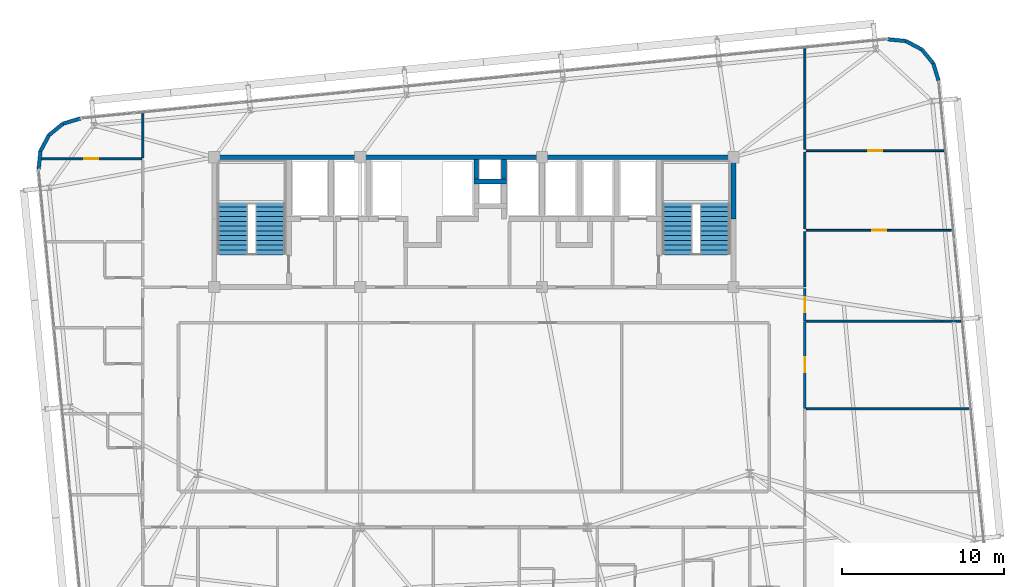
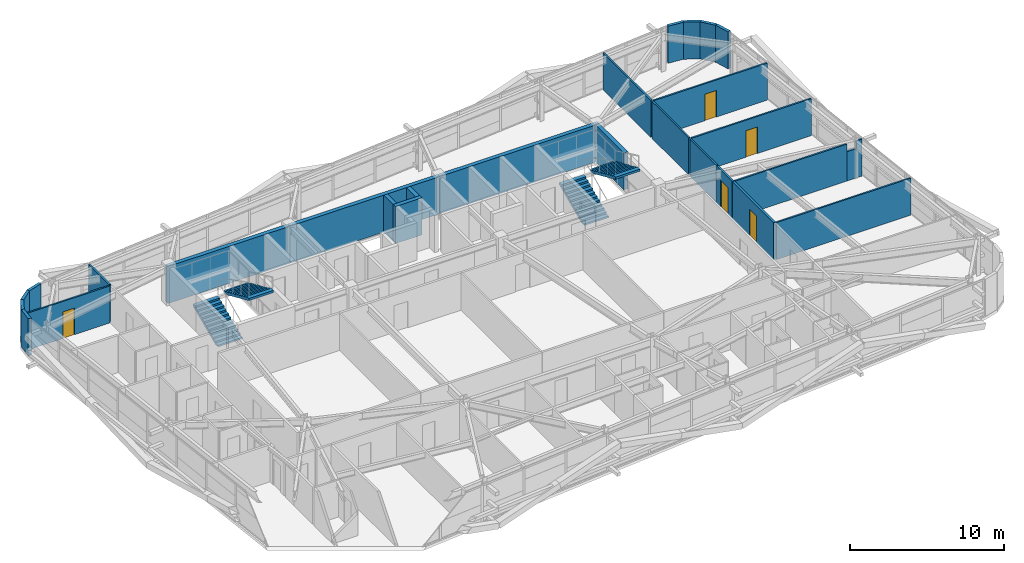
# One storey, part 50 of 53: 28 walls, 5 doors, 4 stair flights, 5 openings, 2 elements without a shape of their own.
"""IFC4 building model written with IfcOpenShell, lengths in metres."""

from ifc_helpers import new_model, si_unit, direction, frame, frame_2d, origin, place, context, subcontext, project, spatial, polyline, rectangle, outline, extrude, source, transform, mapped, material, layer, layer_set, type_object, element, fill, aggregate, save


model = new_model("IFC4")

# Units and contexts
model_context = context("Model", 3, precision=1e-05, world=origin(), true_north=direction((0.0, 1.0)))
body_context = subcontext(model_context, "Body", "Model", "MODEL_VIEW")
ifc_project = project(units=[si_unit("LENGTHUNIT", "METRE"), si_unit("AREAUNIT", "SQUARE_METRE"), si_unit("VOLUMEUNIT", "CUBIC_METRE"), si_unit("PLANEANGLEUNIT", "RADIAN"), si_unit("MASSUNIT", "GRAM", prefix="KILO")], contexts=[model_context])

# Site, building, storey
site_placement = place(None, origin())
site = spatial("IfcSite", under=ifc_project, at=site_placement, CompositionType="ELEMENT")
building_placement = place(site_placement, origin())
building = spatial("IfcBuilding", under=site, at=building_placement, Name="Taldren Reach Tower", CompositionType="ELEMENT")
storey_placement = place(building_placement, frame((0.0, 0.0, 71.39990234375)))
storey = spatial("IfcBuildingStorey", under=building, at=storey_placement, Name="L21", CompositionType="ELEMENT", Elevation=71.39990234375)

# Walls
ifc_material_1 = material(Name="Pale Champagne Anodised Aluminium Cladding", Category="aluminium")
ifc_layer_1 = layer(ifc_material_1, 0.04, Name="Pale Champagne Anodised Aluminium Cladding", Category="aluminium")
ifc_material_2 = material(Name="Mineral Wool Acoustic Insulation", Category="insulation")
ifc_layer_2 = layer(ifc_material_2, 0.06, Name="Mineral Wool Acoustic Insulation", Category="insulation")
ifc_material_3 = material(Name="Steel Gr 350 (C350L0)", Category="steel")
ifc_layer_3 = layer(ifc_material_3, 0.12, Name="Steel Gr 350 (C350L0)", Category="steel")
ifc_layer_set_1 = layer_set([ifc_layer_1, ifc_layer_2, ifc_layer_3], Name="Pale Champagne Aluminium Cladding and Steel Gr 350 Stud Framing")
wall_type_1 = type_object("IfcWallType", Name="EW-CRN-220", PredefinedType="SOLIDWALL", material=ifc_layer_set_1)
shared_shape_1 = source(origin(), body_context, "Body", "SweptSolid", [
    extrude(rectangle(XDim=1.115966796875, YDim=0.219970703125, at=frame_2d((0.55810546875, 0.0))), origin(), (0.0, 0.0, 1.0), 2.93017578125),
])
for number, where, z_axis, x_axis, name in (
    (1, (63.6376953125, 36.6982421875, 0.0), (0.0, 0.0, 1.0), (-0.289855603468, 0.957070388811, 0.0), "Rounded-corner pale-metal facade wall L21-NE1"),
    (2, (62.606689453125, 38.629150390625, 0.0), (0.0, 0.0, 1.0), (-0.881655534635, 0.471893545461, 0.0), "Rounded-corner pale-metal facade wall L21-NE3"),
    (3, (61.622802734375, 39.15576171875, 0.0), (0.0, 0.0, 1.0), (-0.995142755671, 0.09844234778, 0.0), "Rounded-corner pale-metal facade wall L21-NE4"),
    (4, (10.7509765625, 34.386474609375, 0.0), (0.0, 0.0, 1.0), (-0.957070388811, -0.289855603468, 0.0), "Rounded-corner pale-metal facade wall L21-NW1"),
):
    element("IfcWall", number, at=place(storey_placement, frame(where, z_axis=z_axis, x_axis=x_axis)), inside=storey, type_object=wall_type_1, Name=name, PredefinedType="SOLIDWALL", context=body_context, shape_type="MappedRepresentation", body=[
        mapped(shared_shape_1, transform((0.0, 0.0, 0.0), scale=1.0)),
    ])
shared_shape_2 = source(origin(), body_context, "Body", "SweptSolid", [
    extrude(rectangle(XDim=1.11572265625, YDim=0.219970703125, at=frame_2d((0.557861328125, 0.0))), origin(), (0.0, 0.0, 1.0), 2.93017578125),
])
for number, where, z_axis, x_axis, name in (
    (5, (63.314208984375, 37.766357421875, 0.0), (0.0, 0.0, 1.0), (-0.634095287989, 0.773254916409, 0.0), "Rounded-corner pale-metal facade wall L21-NE2"),
    (6, (9.682861328125, 34.06298828125, 0.0), (0.0, 0.0, 1.0), (-0.773254916409, -0.634095287989, 0.0), "Rounded-corner pale-metal facade wall L21-NW2"),
    (7, (8.29345703125, 32.371337890625, 0.0), (0.0, 0.0, 1.0), (-0.098463783145, -0.99514063499, 0.0), "Rounded-corner pale-metal facade wall L21-NW4"),
):
    element("IfcWall", number, at=place(storey_placement, frame(where, z_axis=z_axis, x_axis=x_axis)), inside=storey, type_object=wall_type_1, Name=name, PredefinedType="SOLIDWALL", context=body_context, shape_type="MappedRepresentation", body=[
        mapped(shared_shape_2, transform((0.0, 0.0, 0.0), scale=1.0)),
    ])
shared_shape_3 = source(origin(), body_context, "Body", "SweptSolid", [
    extrude(rectangle(XDim=1.1162109375, YDim=0.219970703125, at=frame_2d((0.55810546875, 0.0))), origin(), (0.0, 0.0, 1.0), 2.93017578125),
])
wall_1_placement = place(storey_placement, frame((8.820068359375, 33.35546875, 0.0), z_axis=(0.0, 0.0, 1.0), x_axis=(-0.471802540493, -0.881704237704, 0.0)))
element("IfcWall", 8, at=wall_1_placement, inside=storey, type_object=wall_type_1, Name="Rounded-corner pale-metal facade wall L21-NW3", PredefinedType="SOLIDWALL", context=body_context, shape_type="MappedRepresentation", body=[
    mapped(shared_shape_3, transform((0.0, 0.0, 0.0), scale=1.0)),
])

# Wall, opening, door
ifc_material_4 = material(Name="Fire-Rated Acoustic Plasterboard Stud Wall", Category="gypsum")
ifc_layer_4 = layer(ifc_material_4, 0.159912109375)
ifc_layer_set_2 = layer_set([ifc_layer_4], Name="Fire-Rated Acoustic Plasterboard Stud Wall")
wall_type_2 = type_object("IfcWallType", Name="IW-FIRE-160", PredefinedType="PARTITIONING", material=ifc_layer_set_2)
shared_shape_4 = source(origin(), body_context, "Body", "SweptSolid", [
    extrude(rectangle(XDim=1.999755859375, YDim=0.159912109375, at=frame_2d((1.0, 0.0))), origin(), (0.0, 0.0, 1.0), 2.93017578125),
])
wall_2_placement = place(storey_placement, frame((55.39990234375, 23.919921875, 0.0), z_axis=(0.0, 0.0, 1.0), x_axis=(0.0, -1.0, 0.0)))
wall_2 = element("IfcWall", 9, at=wall_2_placement, inside=storey, type_object=wall_type_2, Name="Interior Partition Wall W-INT-L21-062", PredefinedType="PARTITIONING", context=body_context, shape_type="MappedRepresentation", body=[
    mapped(shared_shape_4, transform((0.0, 0.0, 0.0), scale=1.0)),
])
shared_shape_5 = source(origin(), body_context, "Body", "SweptSolid", [
    extrude(rectangle(XDim=0.919921875, YDim=2.10009765625, at=frame_2d((0.4599609375, 1.050048828125))), frame((0.0, 0.08984375, 0.0), z_axis=(0.0, -1.0, 0.0), x_axis=(1.0, 0.0, 0.0)), (0.0, 0.0, 1.0), 0.179931640625),
])
opening_1_placement = place(wall_2_placement, frame((0.539794921875, 0.0, 0.0)))
opening_1 = element("IfcOpeningElement", 10, at=opening_1_placement, cuts=wall_2, Name="Opening DI-092", PredefinedType="OPENING", context=body_context, shape_type="MappedRepresentation", body=[
    mapped(shared_shape_5, transform((0.0, 0.0, 0.0), scale=1.0)),
])
ifc_material_5 = material(Name="Solid-Core Timber Suite Door", Category="wood")
door_type_1 = type_object("IfcDoorType", Name="ID-INT-092", OperationType="NOTDEFINED", PredefinedType="DOOR", material=ifc_material_5)
shared_shape_6 = source(origin(), body_context, "Body", "SweptSolid", [
    extrude(rectangle(XDim=0.919921875, YDim=2.10009765625, at=frame_2d((0.4599609375, 1.050048828125))), frame((0.0, 0.02490234375, 0.0), z_axis=(0.0, -1.0, 0.0), x_axis=(1.0, 0.0, 0.0)), (0.0, 0.0, 1.0), 0.050048828125),
])
door_1_placement = place(opening_1_placement, origin())
door_1 = element("IfcDoor", 11, at=door_1_placement, inside=storey, type_object=door_type_1, Name="Interior Door DR-L21-021", OperationType="SINGLE_SWING_RIGHT", OverallHeight=2.10009765625, OverallWidth=0.919921875, PredefinedType="DOOR", context=body_context, shape_type="MappedRepresentation", body=[
    mapped(shared_shape_6, transform((0.0, 0.0, 0.0), scale=1.0)),
])
fill(opening_1, door_1)

# Walls
ifc_material_6 = material(Name="Concrete S65 (65 MPa)", Category="concrete")
ifc_layer_5 = layer(ifc_material_6, 0.300048828125)
ifc_layer_set_3 = layer_set([ifc_layer_5], Name="Concrete S65 (65 MPa)")
wall_type_3 = type_object("IfcWallType", Name="IW-CORE-300", PredefinedType="SHEAR", material=ifc_layer_set_3)
shared_shape_7 = source(origin(), body_context, "Body", "SweptSolid", [
    extrude(rectangle(XDim=9.14990234375, YDim=0.300048828125, at=frame_2d((4.574951171875, 0.0))), origin(), (0.0, 0.0, 1.0), 2.93017578125),
])
wall_3_placement = place(storey_placement, frame((18.85009765625, 32.0, 0.0), z_axis=(0.0, 0.0, 1.0), x_axis=(1.0, 0.0, 0.0)))
element("IfcWall", 12, at=wall_3_placement, inside=storey, type_object=wall_type_3, Name="Rear Core Shear Wall W-CORE-L21-NORTH1", PredefinedType="SHEAR", context=body_context, shape_type="MappedRepresentation", body=[
    mapped(shared_shape_7, transform((0.0, 0.0, 0.0), scale=1.0)),
])
shared_shape_8 = source(origin(), body_context, "Body", "SweptSolid", [
    extrude(rectangle(XDim=11.199951171875, YDim=0.300048828125, at=frame_2d((5.60009765625, 0.0))), origin(), (0.0, 0.0, 1.0), 2.93017578125),
])
wall_4_placement = place(storey_placement, frame((28.0, 32.0, 0.0), z_axis=(0.0, 0.0, 1.0), x_axis=(1.0, 0.0, 0.0)))
element("IfcWall", 13, at=wall_4_placement, inside=storey, type_object=wall_type_3, Name="Rear Core Shear Wall W-CORE-L21-NORTH2", PredefinedType="SHEAR", context=body_context, shape_type="MappedRepresentation", body=[
    mapped(shared_shape_8, transform((0.0, 0.0, 0.0), scale=1.0)),
])
shared_shape_9 = source(origin(), body_context, "Body", "SweptSolid", [
    extrude(rectangle(XDim=11.949951171875, YDim=0.300048828125, at=frame_2d((5.97509765625, 0.0))), origin(), (0.0, 0.0, 1.0), 2.93017578125),
])
wall_5_placement = place(storey_placement, frame((39.199951171875, 32.0, 0.0), z_axis=(0.0, 0.0, 1.0), x_axis=(1.0, 0.0, 0.0)))
element("IfcWall", 14, at=wall_5_placement, inside=storey, type_object=wall_type_3, Name="Rear Core Shear Wall W-CORE-L21-NORTH3", PredefinedType="SHEAR", context=body_context, shape_type="MappedRepresentation", body=[
    mapped(shared_shape_9, transform((0.0, 0.0, 0.0), scale=1.0)),
])
shared_shape_10 = source(origin(), body_context, "Body", "SweptSolid", [
    extrude(rectangle(XDim=3.650146484375, YDim=0.300048828125, at=frame_2d((1.8251953125, 0.0))), origin(), (0.0, 0.0, 1.0), 2.93017578125),
])
wall_6_placement = place(storey_placement, frame((51.0, 28.199951171875, 0.0), z_axis=(0.0, 0.0, 1.0), x_axis=(0.0, 1.0, 0.0)))
element("IfcWall", 15, at=wall_6_placement, inside=storey, type_object=wall_type_3, Name="Rear Core Shear Wall W-CORE-L21-EAST2", PredefinedType="SHEAR", context=body_context, shape_type="MappedRepresentation", body=[
    mapped(shared_shape_10, transform((0.0, 0.0, 0.0), scale=1.0)),
])
shared_shape_11 = source(origin(), body_context, "Body", "SweptSolid", [
    extrude(rectangle(XDim=2.0, YDim=0.300048828125, at=frame_2d((1.0, 0.0))), origin(), (0.0, 0.0, 1.0), 2.93017578125),
])
wall_7_placement = place(storey_placement, frame((35.0, 30.5, 0.0), z_axis=(0.0, 0.0, 1.0), x_axis=(1.0, 0.0, 0.0)))
element("IfcWall", 16, at=wall_7_placement, inside=storey, type_object=wall_type_3, Name="Rear Core Shear Wall W-INT-L21-015", PredefinedType="SHEAR", context=body_context, shape_type="MappedRepresentation", body=[
    mapped(shared_shape_11, transform((0.0, 0.0, 0.0), scale=1.0)),
])
shared_shape_12 = source(origin(), body_context, "Body", "SweptSolid", [
    extrude(rectangle(XDim=1.2001953125, YDim=0.300048828125, at=frame_2d((0.60009765625, 0.0))), origin(), (0.0, 0.0, 1.0), 2.93017578125),
])
for number, where, z_axis, x_axis, name in (
    (17, (35.14990234375, 31.85009765625, 0.0), (0.0, 0.0, 1.0), (0.0, -1.0, 0.0), "Rear Core Shear Wall W-INT-L21-016"),
    (18, (36.85009765625, 30.64990234375, 0.0), (0.0, 0.0, 1.0), (0.0, 1.0, 0.0), "Rear Core Shear Wall W-INT-L21-017"),
):
    element("IfcWall", number, at=place(storey_placement, frame(where, z_axis=z_axis, x_axis=x_axis)), inside=storey, type_object=wall_type_3, Name=name, PredefinedType="SHEAR", context=body_context, shape_type="MappedRepresentation", body=[
        mapped(shared_shape_12, transform((0.0, 0.0, 0.0), scale=1.0)),
    ])

# Wall, opening, door
shared_shape_13 = source(origin(), body_context, "Body", "SweptSolid", [
    extrude(rectangle(XDim=5.359619140625, YDim=0.159912109375, at=frame_2d((2.6796875, 0.0))), origin(), (0.0, 0.0, 1.0), 2.93017578125),
])
wall_8_placement = place(storey_placement, frame((55.39990234375, 21.8798828125, 0.0), z_axis=(0.0, 0.0, 1.0), x_axis=(0.0, -1.0, 0.0)))
wall_8 = element("IfcWall", 19, at=wall_8_placement, inside=storey, type_object=wall_type_2, Name="Interior Partition Wall W-INT-L21-061", PredefinedType="PARTITIONING", context=body_context, shape_type="MappedRepresentation", body=[
    mapped(shared_shape_13, transform((0.0, 0.0, 0.0), scale=1.0)),
])
opening_2_placement = place(wall_8_placement, frame((2.2197265625, 0.0, 0.0)))
opening_2 = element("IfcOpeningElement", 20, at=opening_2_placement, cuts=wall_8, Name="Opening DI-092", PredefinedType="OPENING", context=body_context, shape_type="MappedRepresentation", body=[
    mapped(shared_shape_5, transform((0.0, 0.0, 0.0), scale=1.0)),
])
door_2_placement = place(opening_2_placement, origin())
door_2 = element("IfcDoor", 21, at=door_2_placement, inside=storey, type_object=door_type_1, Name="Interior Door DR-L21-020", OperationType="SINGLE_SWING_LEFT", OverallHeight=2.10009765625, OverallWidth=0.919921875, PredefinedType="DOOR", context=body_context, shape_type="MappedRepresentation", body=[
    mapped(shared_shape_6, transform((0.0, 0.0, 0.0), scale=1.0)),
])
fill(opening_2, door_2)

ifc_material_7 = material(Name="Insulated Residential Stud Partition", Category="gypsum")
ifc_layer_6 = layer(ifc_material_7, 0.1201171875)
ifc_layer_set_4 = layer_set([ifc_layer_6], Name="Insulated Residential Stud Partition")
wall_type_4 = type_object("IfcWallType", Name="IW-PART-120", PredefinedType="PARTITIONING", material=ifc_layer_set_4)
shared_shape_14 = source(origin(), body_context, "Body", "SweptSolid", [
    extrude(rectangle(XDim=6.18798828125, YDim=0.1201171875, at=frame_2d((3.093994140625, 0.0))), origin(), (0.0, 0.0, 1.0), 2.93017578125),
])
wall_9_placement = place(storey_placement, frame((8.33203125, 31.89990234375, 0.0), z_axis=(0.0, 0.0, 1.0), x_axis=(1.0, 0.0, 0.0)))
wall_9 = element("IfcWall", 22, at=wall_9_placement, inside=storey, type_object=wall_type_4, Name="Interior Partition Wall W-INT-L21-129", PredefinedType="PARTITIONING", context=body_context, shape_type="MappedRepresentation", body=[
    mapped(shared_shape_14, transform((0.0, 0.0, 0.0), scale=1.0)),
])
shared_shape_15 = source(origin(), body_context, "Body", "SweptSolid", [
    extrude(rectangle(XDim=0.860107421875, YDim=2.10009765625, at=frame_2d((0.43017578125, 1.050048828125))), frame((0.0, 0.070068359375, 0.0), z_axis=(0.0, -1.0, 0.0), x_axis=(1.0, 0.0, 0.0)), (0.0, 0.0, 1.0), 0.14013671875),
])
opening_3_placement = place(wall_9_placement, frame((2.663818359375, 0.0, 0.0)))
opening_3 = element("IfcOpeningElement", 23, at=opening_3_placement, cuts=wall_9, Name="Opening DI-086", PredefinedType="OPENING", context=body_context, shape_type="MappedRepresentation", body=[
    mapped(shared_shape_15, transform((0.0, 0.0, 0.0), scale=1.0)),
])
ifc_material_8 = material(Name="Timber Bathroom Door", Category="wood")
door_type_2 = type_object("IfcDoorType", Name="ID-INT-086", OperationType="NOTDEFINED", PredefinedType="DOOR", material=ifc_material_8)
shared_shape_16 = source(origin(), body_context, "Body", "SweptSolid", [
    extrude(rectangle(XDim=0.860107421875, YDim=2.10009765625, at=frame_2d((0.43017578125, 1.050048828125))), frame((0.0, 0.02490234375, 0.0), z_axis=(0.0, -1.0, 0.0), x_axis=(1.0, 0.0, 0.0)), (0.0, 0.0, 1.0), 0.050048828125),
])
door_3_placement = place(opening_3_placement, origin())
door_3 = element("IfcDoor", 24, at=door_3_placement, inside=storey, type_object=door_type_2, Name="Interior Door DR-L21-039", OperationType="SINGLE_SWING_RIGHT", OverallHeight=2.10009765625, OverallWidth=0.860107421875, PredefinedType="DOOR", context=body_context, shape_type="MappedRepresentation", body=[
    mapped(shared_shape_16, transform((0.0, 0.0, 0.0), scale=1.0)),
])
fill(opening_3, door_3)

# Walls
shared_shape_17 = source(origin(), body_context, "Body", "SweptSolid", [
    extrude(rectangle(XDim=2.685546875, YDim=0.1201171875, at=frame_2d((1.3427734375, 0.0))), origin(), (0.0, 0.0, 1.0), 2.93017578125),
])
wall_10_placement = place(storey_placement, frame((14.60009765625, 34.66552734375, 0.0), z_axis=(0.0, 0.0, 1.0), x_axis=(0.0, -1.0, 0.0)))
element("IfcWall", 25, at=wall_10_placement, inside=storey, type_object=wall_type_4, Name="Interior Partition Wall W-INT-L21-131", PredefinedType="PARTITIONING", context=body_context, shape_type="MappedRepresentation", body=[
    mapped(shared_shape_17, transform((0.0, 0.0, 0.0), scale=1.0)),
])
shared_shape_18 = source(origin(), body_context, "Body", "SweptSolid", [
    extrude(rectangle(XDim=10.0556640625, YDim=0.1201171875, at=frame_2d((5.02783203125, 0.0))), origin(), (0.0, 0.0, 1.0), 2.93017578125),
])
wall_11_placement = place(storey_placement, frame((55.47998046875, 16.5, 0.0), z_axis=(0.0, 0.0, 1.0), x_axis=(1.0, 0.0, 0.0)))
element("IfcWall", 26, at=wall_11_placement, inside=storey, type_object=wall_type_4, Name="Interior Partition Wall W-INT-L21-133", PredefinedType="PARTITIONING", context=body_context, shape_type="MappedRepresentation", body=[
    mapped(shared_shape_18, transform((0.0, 0.0, 0.0), scale=1.0)),
])
shared_shape_19 = source(origin(), body_context, "Body", "SweptSolid", [
    extrude(rectangle(XDim=8.37890625, YDim=0.1201171875, at=frame_2d((4.189453125, 0.0))), origin(), (0.0, 0.0, 1.0), 2.93017578125),
])
wall_12_placement = place(storey_placement, frame((55.47998046875, 21.89990234375, 0.0), z_axis=(0.0, 0.0, 1.0), x_axis=(1.0, 0.0, 0.0)))
element("IfcWall", 27, at=wall_12_placement, inside=storey, type_object=wall_type_4, Name="Interior Partition Wall W-INT-L21-134", PredefinedType="PARTITIONING", context=body_context, shape_type="MappedRepresentation", body=[
    mapped(shared_shape_19, transform((0.0, 0.0, 0.0), scale=1.0)),
])
shared_shape_20 = source(origin(), body_context, "Body", "SweptSolid", [
    extrude(rectangle(XDim=0.709228515625, YDim=0.1201171875, at=frame_2d((0.3544921875, 0.0))), origin(), (0.0, 0.0, 1.0), 2.328125),
])
wall_13_placement = place(storey_placement, frame((63.85888671875, 21.89990234375, 0.0), z_axis=(0.0, 0.0, 1.0), x_axis=(1.0, 0.0, 0.0)))
element("IfcWall", 28, at=wall_13_placement, inside=storey, type_object=wall_type_4, Name="Interior Partition Wall W-INT-L21-134 part 2", PredefinedType="PARTITIONING", context=body_context, shape_type="MappedRepresentation", body=[
    mapped(shared_shape_20, transform((0.0, 0.0, 0.0), scale=1.0)),
])
shared_shape_21 = source(origin(), body_context, "Body", "SweptSolid", [
    extrude(rectangle(XDim=0.43798828125, YDim=0.1201171875, at=frame_2d((0.218994140625, 0.0))), origin(), (0.0, 0.0, 1.0), 2.93017578125),
])
wall_14_placement = place(storey_placement, frame((64.568115234375, 21.89990234375, 0.0), z_axis=(0.0, 0.0, 1.0), x_axis=(1.0, 0.0, 0.0)))
element("IfcWall", 29, at=wall_14_placement, inside=storey, type_object=wall_type_4, Name="Interior Partition Wall W-INT-L21-134 part 3", PredefinedType="PARTITIONING", context=body_context, shape_type="MappedRepresentation", body=[
    mapped(shared_shape_21, transform((0.0, 0.0, 0.0), scale=1.0)),
])

# Wall, opening, door
shared_shape_22 = source(origin(), body_context, "Body", "SweptSolid", [
    extrude(rectangle(XDim=8.97705078125, YDim=0.1201171875, at=frame_2d((4.488525390625, 0.0))), origin(), (0.0, 0.0, 1.0), 2.93017578125),
])
wall_15_placement = place(storey_placement, frame((55.47998046875, 27.5, 0.0), z_axis=(0.0, 0.0, 1.0), x_axis=(1.0, 0.0, 0.0)))
wall_15 = element("IfcWall", 30, at=wall_15_placement, inside=storey, type_object=wall_type_4, Name="Interior Partition Wall W-INT-L21-135", PredefinedType="PARTITIONING", context=body_context, shape_type="MappedRepresentation", body=[
    mapped(shared_shape_22, transform((0.0, 0.0, 0.0), scale=1.0)),
])
opening_4_placement = place(wall_15_placement, frame((4.05859375, 0.0, 0.0)))
opening_4 = element("IfcOpeningElement", 31, at=opening_4_placement, cuts=wall_15, Name="Opening DI-086", PredefinedType="OPENING", context=body_context, shape_type="MappedRepresentation", body=[
    mapped(shared_shape_15, transform((0.0, 0.0, 0.0), scale=1.0)),
])
door_4_placement = place(opening_4_placement, origin())
door_4 = element("IfcDoor", 32, at=door_4_placement, inside=storey, type_object=door_type_2, Name="Interior Door DR-L21-040", OperationType="SINGLE_SWING_LEFT", OverallHeight=2.10009765625, OverallWidth=0.860107421875, PredefinedType="DOOR", context=body_context, shape_type="MappedRepresentation", body=[
    mapped(shared_shape_16, transform((0.0, 0.0, 0.0), scale=1.0)),
])
fill(opening_4, door_4)

# Wall
shared_shape_23 = source(origin(), body_context, "Body", "SweptSolid", [
    extrude(rectangle(XDim=3.399658203125, YDim=0.1201171875, at=frame_2d((1.69970703125, 0.0))), origin(), (0.0, 0.0, 1.0), 2.93017578125),
])
wall_16_placement = place(storey_placement, frame((55.39990234375, 24.020263671875, 0.0), z_axis=(0.0, 0.0, 1.0), x_axis=(0.0, 1.0, 0.0)))
element("IfcWall", 33, at=wall_16_placement, inside=storey, type_object=wall_type_4, Name="Interior Partition Wall W-INT-L21-136", PredefinedType="PARTITIONING", context=body_context, shape_type="MappedRepresentation", body=[
    mapped(shared_shape_23, transform((0.0, 0.0, 0.0), scale=1.0)),
])

# Wall, opening, door
shared_shape_24 = source(origin(), body_context, "Body", "SweptSolid", [
    extrude(rectangle(XDim=8.49658203125, YDim=0.1201171875, at=frame_2d((4.248291015625, 0.0))), origin(), (0.0, 0.0, 1.0), 2.93017578125),
])
wall_17_placement = place(storey_placement, frame((55.47998046875, 32.39990234375, 0.0), z_axis=(0.0, 0.0, 1.0), x_axis=(1.0, 0.0, 0.0)))
wall_17 = element("IfcWall", 34, at=wall_17_placement, inside=storey, type_object=wall_type_4, Name="Interior Partition Wall W-INT-L21-137", PredefinedType="PARTITIONING", context=body_context, shape_type="MappedRepresentation", body=[
    mapped(shared_shape_24, transform((0.0, 0.0, 0.0), scale=1.0)),
])
opening_5_placement = place(wall_17_placement, frame((3.818359375, 0.0, 0.0)))
opening_5 = element("IfcOpeningElement", 35, at=opening_5_placement, cuts=wall_17, Name="Opening DI-086", PredefinedType="OPENING", context=body_context, shape_type="MappedRepresentation", body=[
    mapped(shared_shape_15, transform((0.0, 0.0, 0.0), scale=1.0)),
])
door_5_placement = place(opening_5_placement, frame((0.860107421875, 0.0, 0.0), z_axis=(0.0, 0.0, 1.0), x_axis=(-1.0, 0.0, 0.0)))
door_5 = element("IfcDoor", 36, at=door_5_placement, inside=storey, type_object=door_type_2, Name="Interior Door DR-L21-041", OperationType="SINGLE_SWING_LEFT", OverallHeight=2.10009765625, OverallWidth=0.860107421875, PredefinedType="DOOR", context=body_context, shape_type="MappedRepresentation", body=[
    mapped(shared_shape_16, transform((0.0, 0.0, 0.0), scale=1.0)),
])
fill(opening_5, door_5)

# Walls
shared_shape_25 = source(origin(), body_context, "Body", "SweptSolid", [
    extrude(rectangle(XDim=4.739990234375, YDim=0.1201171875, at=frame_2d((2.3701171875, 0.0))), origin(), (0.0, 0.0, 1.0), 2.93017578125),
])
wall_18_placement = place(storey_placement, frame((55.39990234375, 27.580078125, 0.0), z_axis=(0.0, 0.0, 1.0), x_axis=(0.0, 1.0, 0.0)))
element("IfcWall", 37, at=wall_18_placement, inside=storey, type_object=wall_type_4, Name="Interior Partition Wall W-INT-L21-138", PredefinedType="PARTITIONING", context=body_context, shape_type="MappedRepresentation", body=[
    mapped(shared_shape_25, transform((0.0, 0.0, 0.0), scale=1.0)),
])
shared_shape_26 = source(origin(), body_context, "Body", "SweptSolid", [
    extrude(rectangle(XDim=6.20166015625, YDim=0.1201171875, at=frame_2d((3.100830078125, 0.0))), origin(), (0.0, 0.0, 1.0), 2.93017578125),
])
wall_19_placement = place(storey_placement, frame((55.39990234375, 32.47998046875, 0.0), z_axis=(0.0, 0.0, 1.0), x_axis=(0.0, 1.0, 0.0)))
element("IfcWall", 38, at=wall_19_placement, inside=storey, type_object=wall_type_4, Name="Interior Partition Wall W-INT-L21-139", PredefinedType="PARTITIONING", context=body_context, shape_type="MappedRepresentation", body=[
    mapped(shared_shape_26, transform((0.0, 0.0, 0.0), scale=1.0)),
])

# Stair, stair flights
ifc_material_9 = material(Name="Concrete S50 (50 MPa)", Category="concrete")
stair_type = type_object("IfcStairType", Name="ST-HT-315", PredefinedType="HALF_TURN_STAIR", material=ifc_material_9)
stair_1_placement = place(storey_placement, origin())
stair_1 = element("IfcStair", 39, at=stair_1_placement, inside=storey, type_object=stair_type, Name="Fire-isolated exit stair ST1 L21", PredefinedType="HALF_TURN_STAIR")
stair_flight_type = type_object("IfcStairFlightType", Name="SF-STR-315", PredefinedType="STRAIGHT", material=ifc_material_9)
stair_flight_1_placement = place(storey_placement, frame((20.139892578125, 25.989990234375, 0.0), z_axis=(0.0, 0.0, 1.0), x_axis=(0.0, 1.0, 0.0)))
stair_flight_1 = element("IfcStairFlight", 40, at=stair_flight_1_placement, type_object=stair_flight_type, Name="ST1 flight 1", NumberOfRisers=12, NumberOfTreads=11, PredefinedType="STRAIGHT", RiserHeight=0.13125, TreadLength=0.295, context=body_context, shape_type="SweptSolid", body=[
    extrude(outline(polyline([(0.0, 0.0), (0.0, 0.13134765625), (0.294921875, 0.13134765625), (0.294921875, 0.262451171875), (0.590087890625, 0.262451171875), (0.590087890625, 0.393798828125), (0.885009765625, 0.393798828125), (0.885009765625, 0.52490234375), (1.179931640625, 0.52490234375), (1.179931640625, 0.65625), (1.47509765625, 0.65625), (1.47509765625, 0.78759765625), (1.77001953125, 0.78759765625), (1.77001953125, 0.918701171875), (2.06494140625, 0.918701171875), (2.06494140625, 1.050048828125), (2.360107421875, 1.050048828125), (2.360107421875, 1.18115234375), (2.655029296875, 1.18115234375), (2.655029296875, 1.3125), (2.949951171875, 1.3125), (2.949951171875, 1.44384765625), (3.2451171875, 1.44384765625), (3.2451171875, 1.574951171875), (3.2451171875, 1.268798828125), (0.393310546875, 0.0), (0.0, 0.0)])), frame((0.0, 0.919921875, 0.0), z_axis=(0.0, -1.0, 0.0), x_axis=(1.0, 0.0, 0.0)), (0.0, 0.0, 1.0), 1.840087890625),
])
stair_flight_2_placement = place(storey_placement, frame((22.4599609375, 29.235107421875, 1.5751953125), z_axis=(0.0, 0.0, 1.0), x_axis=(0.0, -1.0, 0.0)))
stair_flight_2 = element("IfcStairFlight", 41, at=stair_flight_2_placement, type_object=stair_flight_type, Name="ST1 flight 2", NumberOfRisers=12, NumberOfTreads=11, PredefinedType="STRAIGHT", RiserHeight=0.13125, TreadLength=0.295, context=body_context, shape_type="SweptSolid", body=[
    extrude(outline(polyline([(0.0, 0.0), (0.0, 0.13134765625), (0.294921875, 0.13134765625), (0.294921875, 0.262451171875), (0.590087890625, 0.262451171875), (0.590087890625, 0.393798828125), (0.885009765625, 0.393798828125), (0.885009765625, 0.52490234375), (1.179931640625, 0.52490234375), (1.179931640625, 0.65625), (1.47509765625, 0.65625), (1.47509765625, 0.78759765625), (1.77001953125, 0.78759765625), (1.77001953125, 0.918701171875), (2.06494140625, 0.918701171875), (2.06494140625, 1.050048828125), (2.360107421875, 1.050048828125), (2.360107421875, 1.18115234375), (2.655029296875, 1.18115234375), (2.655029296875, 1.3125), (2.949951171875, 1.3125), (2.949951171875, 1.44384765625), (3.2451171875, 1.44384765625), (3.2451171875, 1.574951171875), (3.2451171875, 1.268798828125), (0.393310546875, 0.0), (0.0, 0.0)])), frame((0.0, 0.919921875, 0.0), z_axis=(0.0, -1.0, 0.0), x_axis=(1.0, 0.0, 0.0)), (0.0, 0.0, 1.0), 1.840087890625),
])
aggregate(stair_1, [stair_flight_1, stair_flight_2])

stair_2_placement = place(storey_placement, origin())
stair_2 = element("IfcStair", 42, at=stair_2_placement, inside=storey, type_object=stair_type, Name="Fire-isolated exit stair ST2 L21", PredefinedType="HALF_TURN_STAIR")
stair_flight_3_placement = place(storey_placement, frame((47.5400390625, 25.989990234375, 0.0), z_axis=(0.0, 0.0, 1.0), x_axis=(0.0, 1.0, 0.0)))
stair_flight_3 = element("IfcStairFlight", 43, at=stair_flight_3_placement, type_object=stair_flight_type, Name="ST2 flight 1", NumberOfRisers=12, NumberOfTreads=11, PredefinedType="STRAIGHT", RiserHeight=0.13125, TreadLength=0.295, context=body_context, shape_type="SweptSolid", body=[
    extrude(outline(polyline([(0.0, 0.0), (0.0, 0.13134765625), (0.294921875, 0.13134765625), (0.294921875, 0.262451171875), (0.590087890625, 0.262451171875), (0.590087890625, 0.393798828125), (0.885009765625, 0.393798828125), (0.885009765625, 0.52490234375), (1.179931640625, 0.52490234375), (1.179931640625, 0.65625), (1.47509765625, 0.65625), (1.47509765625, 0.78759765625), (1.77001953125, 0.78759765625), (1.77001953125, 0.918701171875), (2.06494140625, 0.918701171875), (2.06494140625, 1.050048828125), (2.360107421875, 1.050048828125), (2.360107421875, 1.18115234375), (2.655029296875, 1.18115234375), (2.655029296875, 1.3125), (2.949951171875, 1.3125), (2.949951171875, 1.44384765625), (3.2451171875, 1.44384765625), (3.2451171875, 1.574951171875), (3.2451171875, 1.268798828125), (0.393310546875, 0.0), (0.0, 0.0)])), frame((0.0, 0.919921875, 0.0), z_axis=(0.0, -1.0, 0.0), x_axis=(1.0, 0.0, 0.0)), (0.0, 0.0, 1.0), 1.840087890625),
])
stair_flight_4_placement = place(storey_placement, frame((49.860107421875, 29.235107421875, 1.5751953125), z_axis=(0.0, 0.0, 1.0), x_axis=(0.0, -1.0, 0.0)))
stair_flight_4 = element("IfcStairFlight", 44, at=stair_flight_4_placement, type_object=stair_flight_type, Name="ST2 flight 2", NumberOfRisers=12, NumberOfTreads=11, PredefinedType="STRAIGHT", RiserHeight=0.13125, TreadLength=0.295, context=body_context, shape_type="SweptSolid", body=[
    extrude(outline(polyline([(0.0, 0.0), (0.0, 0.13134765625), (0.294921875, 0.13134765625), (0.294921875, 0.262451171875), (0.590087890625, 0.262451171875), (0.590087890625, 0.393798828125), (0.885009765625, 0.393798828125), (0.885009765625, 0.52490234375), (1.179931640625, 0.52490234375), (1.179931640625, 0.65625), (1.47509765625, 0.65625), (1.47509765625, 0.78759765625), (1.77001953125, 0.78759765625), (1.77001953125, 0.918701171875), (2.06494140625, 0.918701171875), (2.06494140625, 1.050048828125), (2.360107421875, 1.050048828125), (2.360107421875, 1.18115234375), (2.655029296875, 1.18115234375), (2.655029296875, 1.3125), (2.949951171875, 1.3125), (2.949951171875, 1.44384765625), (3.2451171875, 1.44384765625), (3.2451171875, 1.574951171875), (3.2451171875, 1.268798828125), (0.393310546875, 0.0), (0.0, 0.0)])), frame((0.0, 0.919921875, 0.0), z_axis=(0.0, -1.0, 0.0), x_axis=(1.0, 0.0, 0.0)), (0.0, 0.0, 1.0), 1.840087890625),
])
aggregate(stair_2, [stair_flight_3, stair_flight_4])

save(model, "model.ifc")
